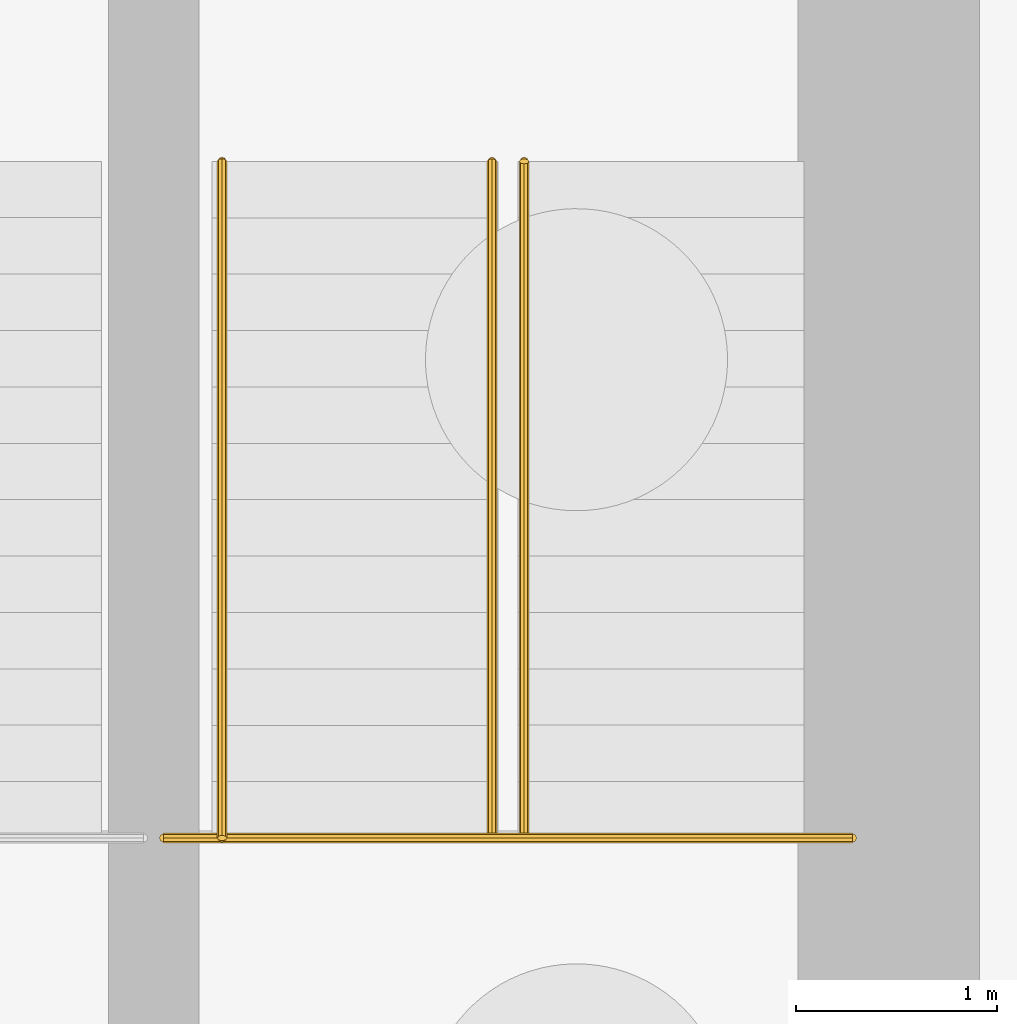
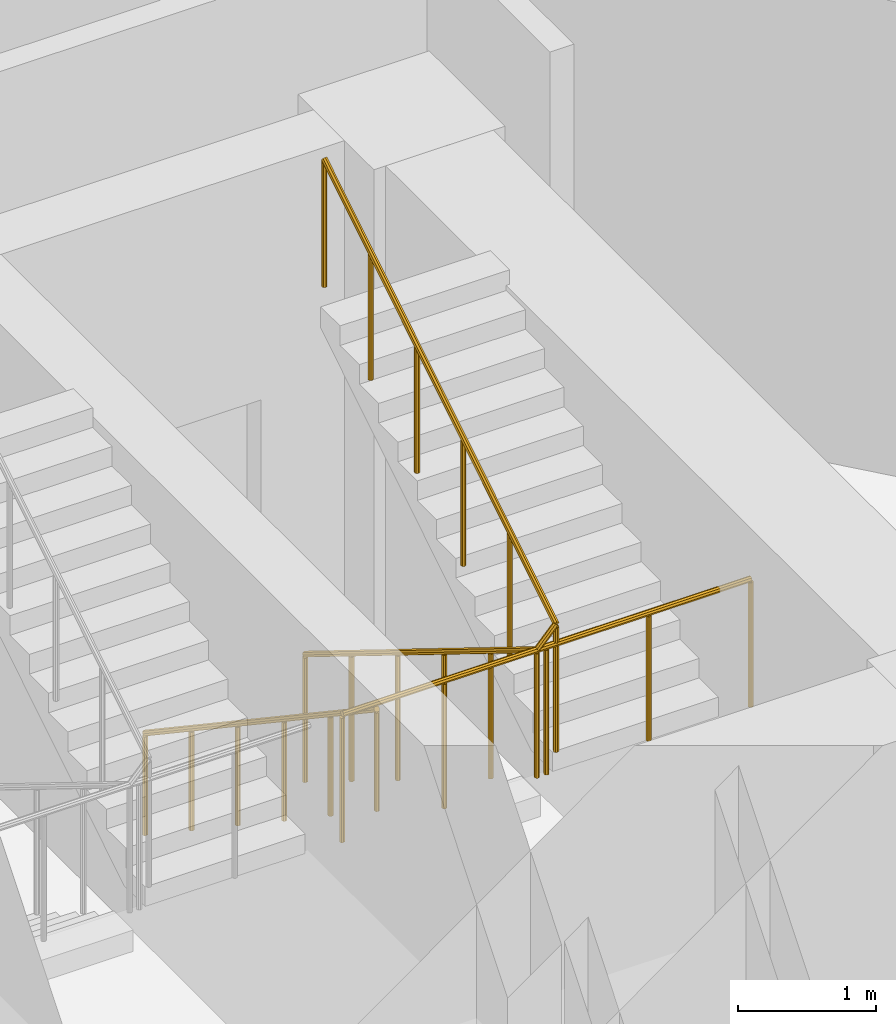
# One storey, part 8 of 9: 3 railings.
"""IFC4 building model written with IfcOpenShell, lengths in metres."""

from ifc_helpers import new_model, si_unit, direction, frame, origin, place, context, subcontext, project, spatial, polyline, outline, extrude, material, type_object, element, save


model = new_model("IFC4")

# Units and contexts
model_context = context("Model", 3, precision=1e-05, world=origin(), true_north=direction((0.0, 1.0)))
body_context = subcontext(model_context, "Body", "Model", "MODEL_VIEW")
ifc_project = project(units=[si_unit("LENGTHUNIT", "METRE"), si_unit("AREAUNIT", "SQUARE_METRE"), si_unit("VOLUMEUNIT", "CUBIC_METRE"), si_unit("PLANEANGLEUNIT", "RADIAN"), si_unit("MASSUNIT", "GRAM", prefix="KILO")], contexts=[model_context])

# Site, building, storey
site_placement = place(None, origin())
site = spatial("IfcSite", under=ifc_project, at=site_placement, CompositionType="ELEMENT")
building_placement = place(site_placement, origin())
building = spatial("IfcBuilding", under=site, at=building_placement, Name="Nuhasar Tower", CompositionType="ELEMENT")
storey_placement = place(building_placement, frame((0.0, 0.0, -9.0)))
storey = spatial("IfcBuildingStorey", under=building, at=storey_placement, Name="B2", CompositionType="ELEMENT", Elevation=-9.0)

# Railings
ifc_material_1 = material(Name="Steel S355", Category="steel")
railing_type_1 = type_object("IfcRailingType", Name="RLG-STAIR-GUARD-1150", PredefinedType="GUARDRAIL", material=ifc_material_1)
railing_1_placement = place(storey_placement, frame((40.699951171875, 31.925048828125, 2.25)))
element("IfcRailing", 1, at=railing_1_placement, inside=storey, type_object=railing_type_1, Name="B2 Stair ST-02 Guardrail LND", PredefinedType="GUARDRAIL", context=body_context, shape_type="SweptSolid", body=[
    extrude(outline(polyline([(0.024169921875, 0.0), (0.01708984375, 0.01708984375), (0.0, 0.024169921875), (-0.01708984375, 0.01708984375), (-0.024169921875, 0.0), (-0.01708984375, -0.01708984375), (0.0, -0.024169921875), (0.01708984375, -0.01708984375), (0.024169921875, 0.0)])), frame((0.0, 0.0, 1.1259765625), z_axis=(1.0, 0.0, 0.0), x_axis=(0.0, 1.0, 0.0)), (0.0, 0.0, 1.0), 3.420166015625),
    extrude(outline(polyline([(0.02099609375, 0.0), (0.014892578125, 0.014892578125), (0.0, 0.02099609375), (-0.014892578125, 0.014892578125), (-0.02099609375, 0.0), (-0.014892578125, -0.014892578125), (0.0, -0.02099609375), (0.014892578125, -0.014892578125), (0.02099609375, 0.0)])), origin(), (0.0, 0.0, 1.0), 1.101806640625),
    extrude(outline(polyline([(0.02099609375, 0.0), (0.014892578125, 0.014892578125), (0.0, 0.02099609375), (-0.014892578125, 0.014892578125), (-0.02099609375, 0.0), (-0.014892578125, -0.014892578125), (0.0, -0.02099609375), (0.014892578125, -0.014892578125), (0.02099609375, 0.0)])), frame((0.85498046875, 0.0, 0.0)), (0.0, 0.0, 1.0), 1.101806640625),
    extrude(outline(polyline([(0.02099609375, 0.0), (0.014892578125, 0.014892578125), (0.0, 0.02099609375), (-0.014892578125, 0.014892578125), (-0.02099609375, 0.0), (-0.014892578125, -0.014892578125), (0.0, -0.02099609375), (0.014892578125, -0.014892578125), (0.02099609375, 0.0)])), frame((1.7099609375, 0.0, 0.0)), (0.0, 0.0, 1.0), 1.101806640625),
    extrude(outline(polyline([(0.02099609375, 0.0), (0.014892578125, 0.014892578125), (0.0, 0.02099609375), (-0.014892578125, 0.014892578125), (-0.02099609375, 0.0), (-0.014892578125, -0.014892578125), (0.0, -0.02099609375), (0.014892578125, -0.014892578125), (0.02099609375, 0.0)])), frame((2.565185546875, 0.0, 0.0)), (0.0, 0.0, 1.0), 1.101806640625),
    extrude(outline(polyline([(0.02099609375, 0.0), (0.014892578125, 0.014892578125), (0.0, 0.02099609375), (-0.014892578125, 0.014892578125), (-0.02099609375, 0.0), (-0.014892578125, -0.014892578125), (0.0, -0.02099609375), (0.014892578125, -0.014892578125), (0.02099609375, 0.0)])), frame((3.420166015625, 0.0, 0.0)), (0.0, 0.0, 1.0), 1.101806640625),
])
railing_2_placement = place(storey_placement, frame((42.330078125, 35.284912109375, 0.173095703125)))
element("IfcRailing", 2, at=railing_2_placement, inside=storey, type_object=railing_type_1, Name="B2 Stair ST-02 Guardrail SLT", PredefinedType="GUARDRAIL", context=body_context, shape_type="SweptSolid", body=[
    extrude(outline(polyline([(0.024169921875, 0.0), (0.01708984375, 0.01708984375), (0.0, 0.024169921875), (-0.01708984375, 0.01708984375), (-0.024169921875, 0.0), (-0.01708984375, -0.01708984375), (0.0, -0.024169921875), (0.01708984375, -0.01708984375), (0.024169921875, 0.0)])), frame((0.0, 0.0, 1.1259765625), z_axis=(0.0, -0.850606129759, 0.525803396734), x_axis=(1.0, 0.0, 0.0)), (0.0, 0.0, 1.0), 3.949951171875),
    extrude(outline(polyline([(0.024169921875, 0.0), (0.01708984375, 0.01708984375), (0.0, 0.024169921875), (-0.01708984375, 0.01708984375), (-0.024169921875, 0.0), (-0.01708984375, -0.01708984375), (0.0, -0.024169921875), (0.01708984375, -0.01708984375), (0.024169921875, 0.0)])), frame((0.0, -3.35986328125, 3.20263671875), z_axis=(0.678581247581, 0.0, 0.734525350435), x_axis=(0.0, 1.0, 0.0)), (0.0, 0.0, 1.0), 0.235595703125),
    extrude(outline(polyline([(0.024169921875, 0.0), (0.01708984375, 0.01708984375), (0.0, 0.024169921875), (-0.01708984375, 0.01708984375), (-0.024169921875, 0.0), (-0.01708984375, -0.01708984375), (0.0, -0.024169921875), (0.01708984375, -0.01708984375), (0.024169921875, 0.0)])), frame((0.159912109375, -3.35986328125, 3.3759765625), z_axis=(0.0, 0.850606129759, 0.525803396734), x_axis=(-1.0, 0.0, 0.0)), (0.0, 0.0, 1.0), 3.949951171875),
    extrude(outline(polyline([(0.02099609375, 0.0), (0.014892578125, 0.014892578125), (0.0, 0.02099609375), (-0.014892578125, 0.014892578125), (-0.02099609375, 0.0), (-0.014892578125, -0.014892578125), (0.0, -0.02099609375), (0.014892578125, -0.014892578125), (0.02099609375, 0.0)])), origin(), (0.0, 0.0, 1.0), 1.101806640625),
    extrude(outline(polyline([(0.02099609375, 0.0), (0.014892578125, 0.014892578125), (0.0, 0.02099609375), (-0.014892578125, 0.014892578125), (-0.02099609375, 0.0), (-0.014892578125, -0.014892578125), (0.0, -0.02099609375), (0.014892578125, -0.014892578125), (0.02099609375, 0.0)])), frame((0.0, -0.671875, 0.415283203125)), (0.0, 0.0, 1.0), 1.101806640625),
    extrude(outline(polyline([(0.02099609375, 0.0), (0.014892578125, 0.014892578125), (0.0, 0.02099609375), (-0.014892578125, 0.014892578125), (-0.02099609375, 0.0), (-0.014892578125, -0.014892578125), (0.0, -0.02099609375), (0.014892578125, -0.014892578125), (0.02099609375, 0.0)])), frame((0.0, -1.343994140625, 0.830810546875)), (0.0, 0.0, 1.0), 1.101806640625),
    extrude(outline(polyline([(0.02099609375, 0.0), (0.014892578125, 0.014892578125), (0.0, 0.02099609375), (-0.014892578125, 0.014892578125), (-0.02099609375, 0.0), (-0.014892578125, -0.014892578125), (0.0, -0.02099609375), (0.014892578125, -0.014892578125), (0.02099609375, 0.0)])), frame((0.0, -2.015869140625, 1.24609375)), (0.0, 0.0, 1.0), 1.101806640625),
    extrude(outline(polyline([(0.02099609375, 0.0), (0.014892578125, 0.014892578125), (0.0, 0.02099609375), (-0.014892578125, 0.014892578125), (-0.02099609375, 0.0), (-0.014892578125, -0.014892578125), (0.0, -0.02099609375), (0.014892578125, -0.014892578125), (0.02099609375, 0.0)])), frame((0.0, -2.68798828125, 1.66162109375)), (0.0, 0.0, 1.0), 1.101806640625),
    extrude(outline(polyline([(0.02099609375, 0.0), (0.014892578125, 0.014892578125), (0.0, 0.02099609375), (-0.014892578125, 0.014892578125), (-0.02099609375, 0.0), (-0.014892578125, -0.014892578125), (0.0, -0.02099609375), (0.014892578125, -0.014892578125), (0.02099609375, 0.0)])), frame((0.0, -3.35986328125, 2.076904296875)), (0.0, 0.0, 1.0), 1.101806640625),
    extrude(outline(polyline([(0.02099609375, 0.0), (0.014892578125, 0.014892578125), (0.0, 0.02099609375), (-0.014892578125, 0.014892578125), (-0.02099609375, 0.0), (-0.014892578125, -0.014892578125), (0.0, -0.02099609375), (0.014892578125, -0.014892578125), (0.02099609375, 0.0)])), frame((0.159912109375, -3.35986328125, 2.25)), (0.0, 0.0, 1.0), 1.101806640625),
    extrude(outline(polyline([(0.02099609375, 0.0), (0.014892578125, 0.014892578125), (0.0, 0.02099609375), (-0.014892578125, 0.014892578125), (-0.02099609375, 0.0), (-0.014892578125, -0.014892578125), (0.0, -0.02099609375), (0.014892578125, -0.014892578125), (0.02099609375, 0.0)])), frame((0.159912109375, -2.68798828125, 2.665283203125)), (0.0, 0.0, 1.0), 1.101806640625),
    extrude(outline(polyline([(0.02099609375, 0.0), (0.014892578125, 0.014892578125), (0.0, 0.02099609375), (-0.014892578125, 0.014892578125), (-0.02099609375, 0.0), (-0.014892578125, -0.014892578125), (0.0, -0.02099609375), (0.014892578125, -0.014892578125), (0.02099609375, 0.0)])), frame((0.159912109375, -2.015869140625, 3.080810546875)), (0.0, 0.0, 1.0), 1.101806640625),
    extrude(outline(polyline([(0.02099609375, 0.0), (0.014892578125, 0.014892578125), (0.0, 0.02099609375), (-0.014892578125, 0.014892578125), (-0.02099609375, 0.0), (-0.014892578125, -0.014892578125), (0.0, -0.02099609375), (0.014892578125, -0.014892578125), (0.02099609375, 0.0)])), frame((0.159912109375, -1.343994140625, 3.49609375)), (0.0, 0.0, 1.0), 1.101806640625),
    extrude(outline(polyline([(0.02099609375, 0.0), (0.014892578125, 0.014892578125), (0.0, 0.02099609375), (-0.014892578125, 0.014892578125), (-0.02099609375, 0.0), (-0.014892578125, -0.014892578125), (0.0, -0.02099609375), (0.014892578125, -0.014892578125), (0.02099609375, 0.0)])), frame((0.159912109375, -0.671875, 3.91162109375)), (0.0, 0.0, 1.0), 1.101806640625),
    extrude(outline(polyline([(0.02099609375, 0.0), (0.014892578125, 0.014892578125), (0.0, 0.02099609375), (-0.014892578125, 0.014892578125), (-0.02099609375, 0.0), (-0.014892578125, -0.014892578125), (0.0, -0.02099609375), (0.014892578125, -0.014892578125), (0.02099609375, 0.0)])), frame((0.159912109375, 0.0, 4.326904296875)), (0.0, 0.0, 1.0), 1.101806640625),
])
ifc_material_2 = material(Name="Stainless Steel 316L", Category="steel")
railing_type_2 = type_object("IfcRailingType", Name="RLG-STAIR-HAND-920", PredefinedType="HANDRAIL", material=ifc_material_2)
railing_3_placement = place(storey_placement, frame((40.989990234375, 35.284912109375, 0.173095703125)))
element("IfcRailing", 3, at=railing_3_placement, inside=storey, type_object=railing_type_2, Name="B2 Stair ST-02 Handrail HND1", PredefinedType="HANDRAIL", context=body_context, shape_type="SweptSolid", body=[
    extrude(outline(polyline([(0.024169921875, 0.0), (0.01708984375, 0.01708984375), (0.0, 0.024169921875), (-0.01708984375, 0.01708984375), (-0.024169921875, 0.0), (-0.01708984375, -0.01708984375), (0.0, -0.024169921875), (0.01708984375, -0.01708984375), (0.024169921875, 0.0)])), frame((0.0, 0.0, 0.89599609375), z_axis=(0.0, -0.830896709279, 0.556426687452), x_axis=(1.0, 0.0, 0.0)), (0.0, 0.0, 1.0), 4.043701171875),
    extrude(outline(polyline([(0.02099609375, 0.0), (0.014892578125, 0.014892578125), (0.0, 0.02099609375), (-0.014892578125, 0.014892578125), (-0.02099609375, 0.0), (-0.014892578125, -0.014892578125), (0.0, -0.02099609375), (0.014892578125, -0.014892578125), (0.02099609375, 0.0)])), origin(), (0.0, 0.0, 1.0), 0.871826171875),
    extrude(outline(polyline([(0.02099609375, 0.0), (0.014892578125, 0.014892578125), (0.0, 0.02099609375), (-0.014892578125, 0.014892578125), (-0.02099609375, 0.0), (-0.014892578125, -0.014892578125), (0.0, -0.02099609375), (0.014892578125, -0.014892578125), (0.02099609375, 0.0)])), frame((0.0, -0.671875, 0.449951171875)), (0.0, 0.0, 1.0), 0.871826171875),
    extrude(outline(polyline([(0.02099609375, 0.0), (0.014892578125, 0.014892578125), (0.0, 0.02099609375), (-0.014892578125, 0.014892578125), (-0.02099609375, 0.0), (-0.014892578125, -0.014892578125), (0.0, -0.02099609375), (0.014892578125, -0.014892578125), (0.02099609375, 0.0)])), frame((0.0, -1.343994140625, 0.89990234375)), (0.0, 0.0, 1.0), 0.871826171875),
    extrude(outline(polyline([(0.02099609375, 0.0), (0.014892578125, 0.014892578125), (0.0, 0.02099609375), (-0.014892578125, 0.014892578125), (-0.02099609375, 0.0), (-0.014892578125, -0.014892578125), (0.0, -0.02099609375), (0.014892578125, -0.014892578125), (0.02099609375, 0.0)])), frame((0.0, -2.015869140625, 1.35009765625)), (0.0, 0.0, 1.0), 0.871826171875),
    extrude(outline(polyline([(0.02099609375, 0.0), (0.014892578125, 0.014892578125), (0.0, 0.02099609375), (-0.014892578125, 0.014892578125), (-0.02099609375, 0.0), (-0.014892578125, -0.014892578125), (0.0, -0.02099609375), (0.014892578125, -0.014892578125), (0.02099609375, 0.0)])), frame((0.0, -2.68798828125, 1.800048828125)), (0.0, 0.0, 1.0), 0.871826171875),
    extrude(outline(polyline([(0.02099609375, 0.0), (0.014892578125, 0.014892578125), (0.0, 0.02099609375), (-0.014892578125, 0.014892578125), (-0.02099609375, 0.0), (-0.014892578125, -0.014892578125), (0.0, -0.02099609375), (0.014892578125, -0.014892578125), (0.02099609375, 0.0)])), frame((0.0, -3.35986328125, 2.25)), (0.0, 0.0, 1.0), 0.871826171875),
])

save(model, "model.ifc")
